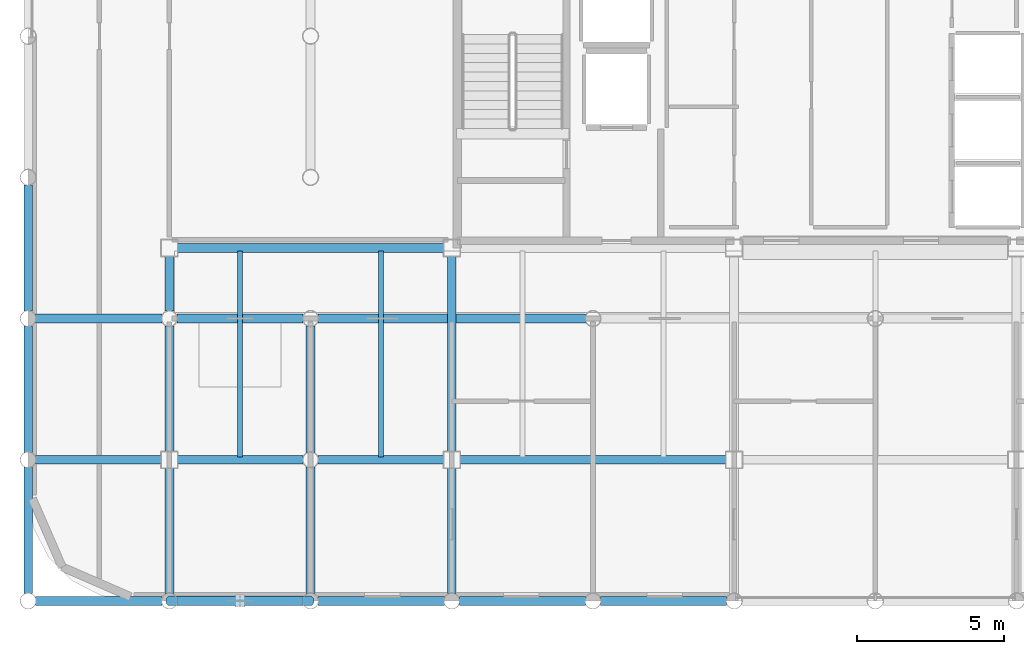
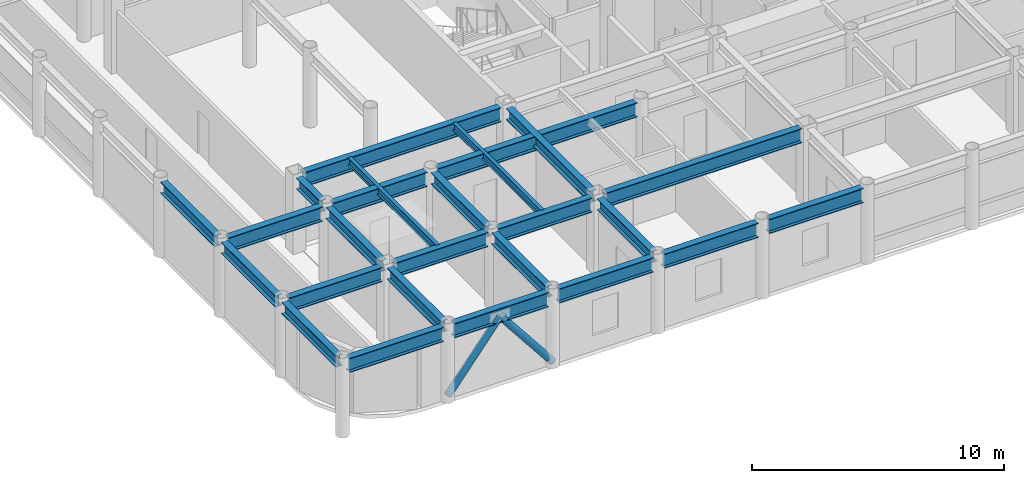
# One storey, part 3 of 24: 25 beams, 2 members.
"""IFC4 building model written with IfcOpenShell, lengths in metres."""

from ifc_helpers import new_model, si_unit, direction, frame, origin, origin_2d, place, context, subcontext, project, spatial, hollow_circle, i_section, extrude, material, material_profile, profile_set, type_object, element, save


model = new_model("IFC4")

# Units and contexts
model_context = context("Model", 3, precision=1e-05, world=origin(), true_north=direction((0.0, 1.0)))
body_context = subcontext(model_context, "Body", "Model", "MODEL_VIEW")
ifc_project = project(units=[si_unit("LENGTHUNIT", "METRE"), si_unit("AREAUNIT", "SQUARE_METRE"), si_unit("VOLUMEUNIT", "CUBIC_METRE"), si_unit("PLANEANGLEUNIT", "RADIAN"), si_unit("MASSUNIT", "GRAM", prefix="KILO")], contexts=[model_context])

# Site, building, storey
site_placement = place(None, origin())
site = spatial("IfcSite", under=ifc_project, at=site_placement, CompositionType="ELEMENT")
building_placement = place(site_placement, origin())
building = spatial("IfcBuilding", under=site, at=building_placement, Name="Kallvorn Hotel Tower", CompositionType="ELEMENT")
storey_placement = place(building_placement, frame((0.0, 0.0, 233.85009765625)))
storey = spatial("IfcBuildingStorey", under=building, at=storey_placement, Name="L58", CompositionType="ELEMENT", Elevation=233.85009765625)

# Beams
ifc_material_1 = material(Name="Structural steel S355JR", Category="steel")
ifc_material_profile_1 = material_profile(ifc_material_1, i_section(OverallWidth=0.300048828125, OverallDepth=0.550048828125, WebThickness=0.014892578125, FlangeThickness=0.029052734375, at=origin_2d()), Name="HE 550 B")
ifc_profile_set_1 = profile_set([ifc_material_profile_1], Name="Structural steel S355JR")
beam_type_1 = type_object("IfcBeamType", Name="BM_HE550B", PredefinedType="SPANDREL", material=ifc_profile_set_1)
for number, where, z_axis, x_axis, name in (
    (1, (-28.800048828125, -18.945556640625, 3.39501953125), (0.0, 1.0, 0.0), (-1.0, 0.0, 0.0), "L59 Primary Y-Girder 73"),
    (2, (-28.800048828125, -14.1455078125, 3.39501953125), (0.0, 1.0, 0.0), (-1.0, 0.0, 0.0), "L59 Primary Y-Girder 74"),
    (3, (-28.800048828125, -9.345458984375, 3.39501953125), (0.0, 1.0, 0.0), (-1.0, 0.0, 0.0), "L59 Primary Y-Girder 75"),
):
    element("IfcBeam", number, at=place(storey_placement, frame(where, z_axis=z_axis, x_axis=x_axis)), inside=storey, type_object=beam_type_1, Name=name, PredefinedType="SPANDREL", context=body_context, shape_type="SweptSolid", body=[
        extrude(i_section(OverallWidth=0.300048828125, OverallDepth=0.550048828125, WebThickness=0.014892578125, FlangeThickness=0.029052734375, at=origin_2d()), origin(), (0.0, 0.0, 1.0), 4.291015625),
    ])
for number, where, z_axis, x_axis, name in (
    (4, (-24.0, -18.945556640625, 3.39501953125), (0.0, 1.0, 0.0), (-1.0, 0.0, 0.0), "L59 Primary Y-Girder 81"),
    (5, (-24.0, -14.125, 3.39501953125), (0.0, 1.0, 0.0), (-1.0, 0.0, 0.0), "L59 Primary Y-Girder 82"),
):
    element("IfcBeam", number, at=place(storey_placement, frame(where, z_axis=z_axis, x_axis=x_axis)), inside=storey, type_object=beam_type_1, Name=name, PredefinedType="SPANDREL", context=body_context, shape_type="SweptSolid", body=[
        extrude(i_section(OverallWidth=0.300048828125, OverallDepth=0.550048828125, WebThickness=0.014892578125, FlangeThickness=0.029052734375, at=origin_2d()), origin(), (0.0, 0.0, 1.0), 4.2705078125),
    ])
beam_1_placement = place(storey_placement, frame((-24.0, -9.345458984375, 3.39501953125), z_axis=(0.0, 1.0, 0.0), x_axis=(-1.0, 0.0, 0.0)))
element("IfcBeam", 6, at=beam_1_placement, inside=storey, type_object=beam_type_1, Name="L59 Primary Y-Girder 83", PredefinedType="SPANDREL", context=body_context, shape_type="SweptSolid", body=[
    extrude(i_section(OverallWidth=0.300048828125, OverallDepth=0.550048828125, WebThickness=0.014892578125, FlangeThickness=0.029052734375, at=origin_2d()), origin(), (0.0, 0.0, 1.0), 1.870361328125),
])
for number, where, z_axis, x_axis, name in (
    (7, (-19.199951171875, -18.945556640625, 3.39501953125), (0.0, 1.0, 0.0), (-1.0, 0.0, 0.0), "L59 Primary Y-Girder 88"),
    (8, (-19.199951171875, -14.1455078125, 3.39501953125), (0.0, 1.0, 0.0), (-1.0, 0.0, 0.0), "L59 Primary Y-Girder 89"),
):
    element("IfcBeam", number, at=place(storey_placement, frame(where, z_axis=z_axis, x_axis=x_axis)), inside=storey, type_object=beam_type_1, Name=name, PredefinedType="SPANDREL", context=body_context, shape_type="SweptSolid", body=[
        extrude(i_section(OverallWidth=0.300048828125, OverallDepth=0.550048828125, WebThickness=0.014892578125, FlangeThickness=0.029052734375, at=origin_2d()), origin(), (0.0, 0.0, 1.0), 4.291015625),
    ])
beam_2_placement = place(storey_placement, frame((-14.39990234375, -18.945556640625, 3.39501953125), z_axis=(0.0, 1.0, 0.0), x_axis=(-1.0, 0.0, 0.0)))
element("IfcBeam", 9, at=beam_2_placement, inside=storey, type_object=beam_type_1, Name="L59 Primary Y-Girder 97", PredefinedType="SPANDREL", context=body_context, shape_type="SweptSolid", body=[
    extrude(i_section(OverallWidth=0.300048828125, OverallDepth=0.550048828125, WebThickness=0.014892578125, FlangeThickness=0.029052734375, at=origin_2d()), origin(), (0.0, 0.0, 1.0), 4.2705078125),
])
beam_3_placement = place(storey_placement, frame((-14.39990234375, -14.125, 3.39501953125), z_axis=(0.0, 1.0, 0.0), x_axis=(-1.0, 0.0, 0.0)))
element("IfcBeam", 10, at=beam_3_placement, inside=storey, type_object=beam_type_1, Name="L59 Primary Y-Girder 98", PredefinedType="SPANDREL", context=body_context, shape_type="SweptSolid", body=[
    extrude(i_section(OverallWidth=0.300048828125, OverallDepth=0.550048828125, WebThickness=0.014892578125, FlangeThickness=0.029052734375, at=origin_2d()), origin(), (0.0, 0.0, 1.0), 6.64990234375),
])
ifc_material_2 = material(Name="Structural steel S355JR", Category="steel")
ifc_material_profile_2 = material_profile(ifc_material_2, i_section(OverallWidth=0.300048828125, OverallDepth=0.699951171875, WebThickness=0.01708984375, FlangeThickness=0.031982421875, at=origin_2d()), Name="HE 700 B")
ifc_profile_set_2 = profile_set([ifc_material_profile_2], Name="Structural steel S355JR")
beam_type_2 = type_object("IfcBeamType", Name="BM_HE700B", PredefinedType="BEAM", material=ifc_profile_set_2)
for number, where, z_axis, x_axis, name in (
    (11, (-28.54541015625, -19.199951171875, 3.31982421875), (1.0, 0.0, 0.0), (0.0, 1.0, 0.0), "L59 Primary X-Girder 01"),
    (12, (-23.74560546875, -19.199951171875, 3.31982421875), (1.0, 0.0, 0.0), (0.0, 1.0, 0.0), "L59 Primary X-Girder 02"),
    (13, (-18.945556640625, -19.199951171875, 3.31982421875), (1.0, 0.0, 0.0), (0.0, 1.0, 0.0), "L59 Primary X-Girder 03"),
    (14, (-14.1455078125, -19.199951171875, 3.31982421875), (1.0, 0.0, 0.0), (0.0, 1.0, 0.0), "L59 Primary X-Girder 04"),
    (15, (-9.345458984375, -19.199951171875, 3.31982421875), (1.0, 0.0, 0.0), (0.0, 1.0, 0.0), "L59 Primary X-Girder 05"),
):
    element("IfcBeam", number, at=place(storey_placement, frame(where, z_axis=z_axis, x_axis=x_axis)), inside=storey, type_object=beam_type_2, Name=name, PredefinedType="BEAM", context=body_context, shape_type="SweptSolid", body=[
        extrude(i_section(OverallWidth=0.300048828125, OverallDepth=0.699951171875, WebThickness=0.01708984375, FlangeThickness=0.031982421875, at=origin_2d()), origin(), (0.0, 0.0, 1.0), 4.291015625),
    ])
for number, where, z_axis, x_axis, name in (
    (16, (-28.54541015625, -14.39990234375, 3.31982421875), (1.0, 0.0, 0.0), (0.0, 1.0, 0.0), "L59 Primary X-Girder 13"),
    (17, (-23.72509765625, -14.39990234375, 3.31982421875), (1.0, 0.0, 0.0), (0.0, 1.0, 0.0), "L59 Primary X-Girder 14"),
    (18, (-18.945556640625, -14.39990234375, 3.31982421875), (1.0, 0.0, 0.0), (0.0, 1.0, 0.0), "L59 Primary X-Girder 15"),
):
    element("IfcBeam", number, at=place(storey_placement, frame(where, z_axis=z_axis, x_axis=x_axis)), inside=storey, type_object=beam_type_2, Name=name, PredefinedType="BEAM", context=body_context, shape_type="SweptSolid", body=[
        extrude(i_section(OverallWidth=0.300048828125, OverallDepth=0.699951171875, WebThickness=0.01708984375, FlangeThickness=0.031982421875, at=origin_2d()), origin(), (0.0, 0.0, 1.0), 4.2705078125),
    ])
beam_4_placement = place(storey_placement, frame((-14.125, -14.39990234375, 3.31982421875), z_axis=(1.0, 0.0, 0.0), x_axis=(0.0, 1.0, 0.0)))
element("IfcBeam", 19, at=beam_4_placement, inside=storey, type_object=beam_type_2, Name="L59 Primary X-Girder 16", PredefinedType="BEAM", context=body_context, shape_type="SweptSolid", body=[
    extrude(i_section(OverallWidth=0.300048828125, OverallDepth=0.699951171875, WebThickness=0.01708984375, FlangeThickness=0.031982421875, at=origin_2d()), origin(), (0.0, 0.0, 1.0), 9.050048828125),
])
for number, where, z_axis, x_axis, name in (
    (20, (-28.54541015625, -9.60009765625, 3.31982421875), (1.0, 0.0, 0.0), (0.0, 1.0, 0.0), "L59 Primary X-Girder 23"),
    (21, (-23.74560546875, -9.60009765625, 3.31982421875), (1.0, 0.0, 0.0), (0.0, 1.0, 0.0), "L59 Primary X-Girder 24"),
):
    element("IfcBeam", number, at=place(storey_placement, frame(where, z_axis=z_axis, x_axis=x_axis)), inside=storey, type_object=beam_type_2, Name=name, PredefinedType="BEAM", context=body_context, shape_type="SweptSolid", body=[
        extrude(i_section(OverallWidth=0.300048828125, OverallDepth=0.699951171875, WebThickness=0.01708984375, FlangeThickness=0.031982421875, at=origin_2d()), origin(), (0.0, 0.0, 1.0), 4.291015625),
    ])
beam_5_placement = place(storey_placement, frame((-18.945556640625, -9.60009765625, 3.31982421875), z_axis=(1.0, 0.0, 0.0), x_axis=(0.0, 1.0, 0.0)))
element("IfcBeam", 22, at=beam_5_placement, inside=storey, type_object=beam_type_2, Name="L59 Primary X-Girder 25", PredefinedType="BEAM", context=body_context, shape_type="SweptSolid", body=[
    extrude(i_section(OverallWidth=0.300048828125, OverallDepth=0.699951171875, WebThickness=0.01708984375, FlangeThickness=0.031982421875, at=origin_2d()), origin(), (0.0, 0.0, 1.0), 9.091064453125),
])
beam_6_placement = place(storey_placement, frame((-23.72509765625, -7.199951171875, 3.31982421875), z_axis=(1.0, 0.0, 0.0), x_axis=(0.0, 1.0, 0.0)))
element("IfcBeam", 23, at=beam_6_placement, inside=storey, type_object=beam_type_2, Name="L59 Primary X-Girder 32", PredefinedType="BEAM", context=body_context, shape_type="SweptSolid", body=[
    extrude(i_section(OverallWidth=0.300048828125, OverallDepth=0.699951171875, WebThickness=0.01708984375, FlangeThickness=0.031982421875, at=origin_2d()), origin(), (0.0, 0.0, 1.0), 9.050048828125),
])
ifc_material_3 = material(Name="Structural steel S355JR", Category="steel")
ifc_material_profile_3 = material_profile(ifc_material_3, i_section(OverallWidth=0.169921875, OverallDepth=0.360107421875, WebThickness=0.008056640625, FlangeThickness=0.0126953125, at=origin_2d()), Name="IPE 360")
ifc_profile_set_3 = profile_set([ifc_material_profile_3], Name="Structural steel S355JR")
beam_type_3 = type_object("IfcBeamType", Name="BM_IPE360", PredefinedType="JOIST", material=ifc_profile_set_3)
for number, where, z_axis, x_axis, name in (
    (24, (-21.60009765625, -14.300048828125, 3.489990234375), (0.0, 1.0, 0.0), (-1.0, 0.0, 0.0), "L59 Secondary Composite Joist 192"),
    (25, (-16.800048828125, -14.300048828125, 3.489990234375), (0.0, 1.0, 0.0), (-1.0, 0.0, 0.0), "L59 Secondary Composite Joist 194"),
):
    element("IfcBeam", number, at=place(storey_placement, frame(where, z_axis=z_axis, x_axis=x_axis)), inside=storey, type_object=beam_type_3, Name=name, PredefinedType="JOIST", context=body_context, shape_type="SweptSolid", body=[
        extrude(i_section(OverallWidth=0.169921875, OverallDepth=0.360107421875, WebThickness=0.008056640625, FlangeThickness=0.0126953125, at=origin_2d()), origin(), (0.0, 0.0, 1.0), 7.0),
    ])

# Members
ifc_material_4 = material(Name="Structural steel S355J2H", Category="steel")
ifc_material_profile_4 = material_profile(ifc_material_4, hollow_circle(Radius=0.161865234375, WallThickness=0.012451171875, at=origin_2d()), Name="CHS 323.9x12.5")
ifc_profile_set_4 = profile_set([ifc_material_profile_4], Name="Structural steel S355J2H")
member_type = type_object("IfcMemberType", Name="MBR_EXO_CHS323", PredefinedType="BRACE", material=ifc_profile_set_4)
for number, where, z_axis, x_axis, name in (
    (26, (-23.987548828125, -19.199951171875, 0.195556640625), (0.620928510901, 0.0, 0.783867198159), (0.0, 1.0, 0.0), "L58 Exoskeleton K-Brace S1A"),
    (27, (-19.21240234375, -19.199951171875, 0.195556640625), (-0.620928510901, 0.0, 0.783867198159), (0.0, -1.0, 0.0), "L58 Exoskeleton K-Brace S1B"),
):
    element("IfcMember", number, at=place(storey_placement, frame(where, z_axis=z_axis, x_axis=x_axis)), inside=storey, type_object=member_type, Name=name, PredefinedType="BRACE", context=body_context, shape_type="SweptSolid", body=[
        extrude(hollow_circle(Radius=0.161865234375, WallThickness=0.012451171875, at=origin_2d()), origin(), (0.0, 0.0, 1.0), 3.8251953125),
    ])

save(model, "model.ifc")
